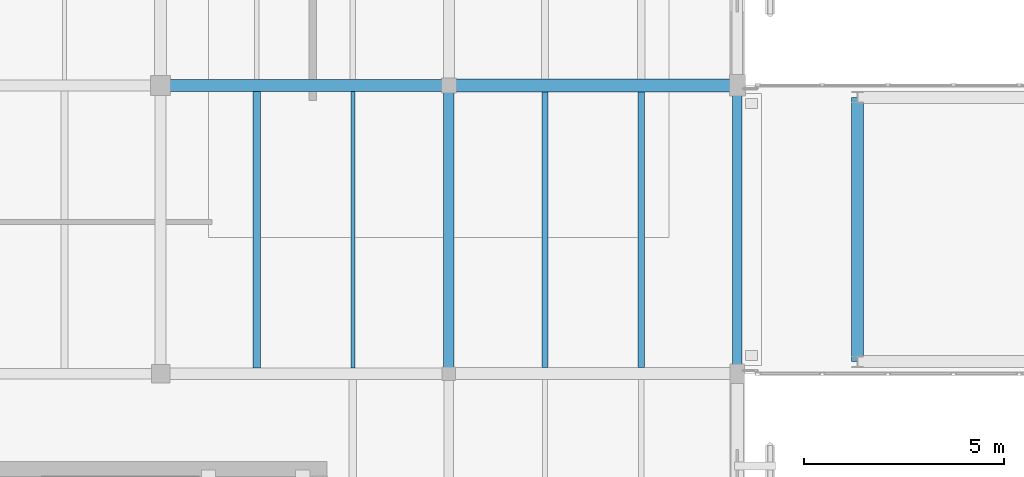
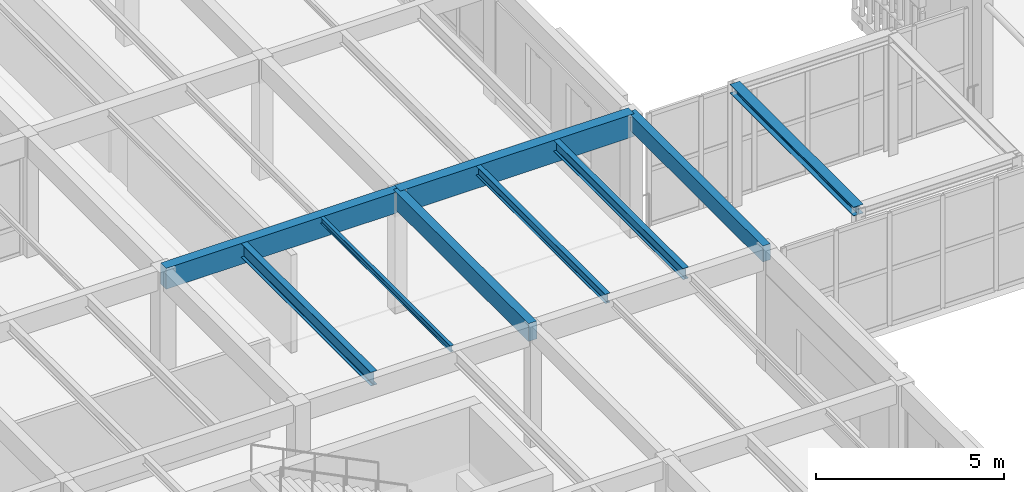
# One storey, part 19 of 112: 9 beams.
"""IFC4 building model written with IfcOpenShell, lengths in metres."""

from ifc_helpers import new_model, si_unit, direction, frame, origin, origin_2d, place, context, subcontext, project, spatial, rectangle, i_section, extrude, material, material_profile, profile_set, type_object, element, save


model = new_model("IFC4")

# Units and contexts
model_context = context("Model", 3, precision=1e-05, world=origin(), true_north=direction((0.0, 1.0)))
body_context = subcontext(model_context, "Body", "Model", "MODEL_VIEW")
ifc_project = project(units=[si_unit("LENGTHUNIT", "METRE"), si_unit("AREAUNIT", "SQUARE_METRE"), si_unit("VOLUMEUNIT", "CUBIC_METRE"), si_unit("PLANEANGLEUNIT", "RADIAN"), si_unit("MASSUNIT", "GRAM", prefix="KILO")], contexts=[model_context])

# Site, building, storey
site_placement = place(None, origin())
site = spatial("IfcSite", under=ifc_project, at=site_placement, CompositionType="ELEMENT")
building_placement = place(site_placement, origin())
building = spatial("IfcBuilding", under=site, at=building_placement, Name="Mazaris Harbour Polytechnic", CompositionType="ELEMENT")
storey_placement = place(building_placement, frame((0.0, 0.0, 13.800048828125)))
storey = spatial("IfcBuildingStorey", under=building, at=storey_placement, Name="L03", CompositionType="ELEMENT", Elevation=13.800048828125)

# Beams
ifc_material_1 = material(Name="Glulam GL32h", Category="wood")
ifc_material_profile_1 = material_profile(ifc_material_1, rectangle(XDim=0.239990234375, YDim=0.52001953125, at=origin_2d()), Name="RECT240x520")
ifc_profile_set_1 = profile_set([ifc_material_profile_1], Name="Glulam GL32h")
beam_type_1 = type_object("IfcBeamType", Name="Glulam Girder 240x520 Exterior", PredefinedType="BEAM", material=ifc_profile_set_1)
beam_1_placement = place(storey_placement, frame((43.199951171875, 21.60009765625, 3.659912109375), z_axis=(0.0, 1.0, 0.0), x_axis=(-1.0, 0.0, 0.0)))
element("IfcBeam", 1, at=beam_1_placement, inside=storey, type_object=beam_type_1, Name="V4 L03 Tie Girder 2270", PredefinedType="BEAM", context=body_context, shape_type="SweptSolid", body=[
    extrude(rectangle(XDim=0.239990234375, YDim=0.52001953125, at=origin_2d()), origin(), (0.0, 0.0, 1.0), 7.199951171875),
])
ifc_material_2 = material(Name="Glulam GL32h", Category="wood")
ifc_material_profile_2 = material_profile(ifc_material_2, rectangle(XDim=0.260009765625, YDim=0.580078125, at=origin_2d()), Name="RECT260x580")
ifc_profile_set_2 = profile_set([ifc_material_profile_2], Name="Glulam GL32h")
beam_type_2 = type_object("IfcBeamType", Name="Glulam Girder 260x580", PredefinedType="BEAM", material=ifc_profile_set_2)
beam_2_placement = place(storey_placement, frame((36.0, 21.60009765625, 3.6298828125), z_axis=(0.0, 1.0, 0.0), x_axis=(-1.0, 0.0, 0.0)))
element("IfcBeam", 2, at=beam_2_placement, inside=storey, type_object=beam_type_2, Name="V4 L03 Tie Girder 2261", PredefinedType="BEAM", context=body_context, shape_type="SweptSolid", body=[
    extrude(rectangle(XDim=0.260009765625, YDim=0.580078125, at=origin_2d()), origin(), (0.0, 0.0, 1.0), 7.199951171875),
])
ifc_material_3 = material(Name="Glulam GL32h", Category="wood")
ifc_material_profile_3 = material_profile(ifc_material_3, rectangle(XDim=0.300048828125, YDim=0.679931640625, at=origin_2d()), Name="RECT300x680")
ifc_profile_set_3 = profile_set([ifc_material_profile_3], Name="Glulam GL32h")
beam_type_3 = type_object("IfcBeamType", Name="Glulam Girder 300x680", PredefinedType="BEAM", material=ifc_profile_set_3)
beam_3_placement = place(storey_placement, frame((28.800048828125, 28.800048828125, 3.579833984375), z_axis=(1.0, 0.0, 0.0), x_axis=(0.0, 1.0, 0.0)))
element("IfcBeam", 3, at=beam_3_placement, inside=storey, type_object=beam_type_3, Name="V4 L03 Girder 2188", PredefinedType="BEAM", context=body_context, shape_type="SweptSolid", body=[
    extrude(rectangle(XDim=0.300048828125, YDim=0.679931640625, at=origin_2d()), origin(), (0.0, 0.0, 1.0), 7.199951171875),
])
ifc_material_4 = material(Name="Glulam GL32h", Category="wood")
ifc_material_profile_4 = material_profile(ifc_material_4, rectangle(XDim=0.320068359375, YDim=0.739990234375, at=origin_2d()), Name="RECT320x740")
ifc_profile_set_4 = profile_set([ifc_material_profile_4], Name="Glulam GL32h")
beam_type_4 = type_object("IfcBeamType", Name="Glulam Girder 320x740", PredefinedType="BEAM", material=ifc_profile_set_4)
beam_4_placement = place(storey_placement, frame((36.0, 28.800048828125, 3.550048828125), z_axis=(1.0, 0.0, 0.0), x_axis=(0.0, 1.0, 0.0)))
element("IfcBeam", 4, at=beam_4_placement, inside=storey, type_object=beam_type_4, Name="V4 L03 Girder 2189", PredefinedType="BEAM", context=body_context, shape_type="SweptSolid", body=[
    extrude(rectangle(XDim=0.320068359375, YDim=0.739990234375, at=origin_2d()), origin(), (0.0, 0.0, 1.0), 7.199951171875),
])
ifc_material_5 = material(Name="Steel S355", Category="steel")
ifc_material_profile_5 = material_profile(ifc_material_5, i_section(OverallWidth=0.300048828125, OverallDepth=0.2900390625, WebThickness=0.008544921875, FlangeThickness=0.013916015625, FilletRadius=0.027099609375, at=origin_2d()), Name="HEA 300")
ifc_profile_set_5 = profile_set([ifc_material_profile_5], Name="Steel S355")
beam_type_5 = type_object("IfcBeamType", Name="Steel Beam HEA300 Exterior", PredefinedType="SPANDREL", material=ifc_profile_set_5)
beam_5_placement = place(storey_placement, frame((46.199951171875, 21.89990234375, 3.81494140625), z_axis=(0.0, 1.0, 0.0), x_axis=(-1.0, 0.0, 0.0)))
element("IfcBeam", 5, at=beam_5_placement, inside=storey, type_object=beam_type_5, Name="PB-W1 L03 Bridge Beam 3416", PredefinedType="SPANDREL", context=body_context, shape_type="SweptSolid", body=[
    extrude(i_section(OverallWidth=0.300048828125, OverallDepth=0.2900390625, WebThickness=0.008544921875, FlangeThickness=0.013916015625, FilletRadius=0.027099609375, at=origin_2d()), origin(), (0.0, 0.0, 1.0), 6.60009765625),
])
ifc_material_6 = material(Name="Steel S355", Category="steel")
ifc_material_profile_6 = material_profile(ifc_material_6, i_section(OverallWidth=0.10009765625, OverallDepth=0.199951171875, WebThickness=0.005615234375, FlangeThickness=0.008544921875, FilletRadius=0.011962890625, at=origin_2d()), Name="IPE 200")
ifc_profile_set_6 = profile_set([ifc_material_profile_6], Name="Steel S355")
beam_type_6 = type_object("IfcBeamType", Name="Steel Joist IPE200", PredefinedType="JOIST", material=ifc_profile_set_6)
beam_6_placement = place(storey_placement, frame((33.60009765625, 21.739990234375, 3.820068359375), z_axis=(0.0, 1.0, 0.0), x_axis=(-1.0, 0.0, 0.0)))
element("IfcBeam", 6, at=beam_6_placement, inside=storey, type_object=beam_type_6, Name="V4 L03 Floor Joist 2331", PredefinedType="JOIST", context=body_context, shape_type="SweptSolid", body=[
    extrude(i_section(OverallWidth=0.10009765625, OverallDepth=0.199951171875, WebThickness=0.005615234375, FlangeThickness=0.008544921875, FilletRadius=0.011962890625, at=origin_2d()), origin(), (0.0, 0.0, 1.0), 6.909912109375),
])
ifc_material_7 = material(Name="Steel S355", Category="steel")
ifc_material_profile_7 = material_profile(ifc_material_7, i_section(OverallWidth=0.14990234375, OverallDepth=0.300048828125, WebThickness=0.007080078125, FlangeThickness=0.0107421875, FilletRadius=0.014892578125, at=origin_2d()), Name="IPE 300")
ifc_profile_set_7 = profile_set([ifc_material_profile_7], Name="Steel S355")
beam_type_7 = type_object("IfcBeamType", Name="Steel Joist IPE300", PredefinedType="JOIST", material=ifc_profile_set_7)
beam_7_placement = place(storey_placement, frame((38.39990234375, 21.75, 3.77001953125), z_axis=(0.0, 1.0, 0.0), x_axis=(-1.0, 0.0, 0.0)))
element("IfcBeam", 7, at=beam_7_placement, inside=storey, type_object=beam_type_7, Name="V4 L03 Floor Joist 2348", PredefinedType="JOIST", context=body_context, shape_type="SweptSolid", body=[
    extrude(i_section(OverallWidth=0.14990234375, OverallDepth=0.300048828125, WebThickness=0.007080078125, FlangeThickness=0.0107421875, FilletRadius=0.014892578125, at=origin_2d()), origin(), (0.0, 0.0, 1.0), 6.889892578125),
])
ifc_material_8 = material(Name="Steel S355", Category="steel")
ifc_material_profile_8 = material_profile(ifc_material_8, i_section(OverallWidth=0.169921875, OverallDepth=0.360107421875, WebThickness=0.008056640625, FlangeThickness=0.0126953125, FilletRadius=0.01806640625, at=origin_2d()), Name="IPE 360")
ifc_profile_set_8 = profile_set([ifc_material_profile_8], Name="Steel S355")
beam_type_8 = type_object("IfcBeamType", Name="Steel Joist IPE360", PredefinedType="JOIST", material=ifc_profile_set_8)
beam_8_placement = place(storey_placement, frame((40.800048828125, 21.75, 3.739990234375), z_axis=(0.0, 1.0, 0.0), x_axis=(-1.0, 0.0, 0.0)))
element("IfcBeam", 8, at=beam_8_placement, inside=storey, type_object=beam_type_8, Name="V4 L03 Floor Joist 2349", PredefinedType="JOIST", context=body_context, shape_type="SweptSolid", body=[
    extrude(i_section(OverallWidth=0.169921875, OverallDepth=0.360107421875, WebThickness=0.008056640625, FlangeThickness=0.0126953125, FilletRadius=0.01806640625, at=origin_2d()), origin(), (0.0, 0.0, 1.0), 6.889892578125),
])
ifc_material_9 = material(Name="Steel S355", Category="steel")
ifc_material_profile_9 = material_profile(ifc_material_9, i_section(OverallWidth=0.18994140625, OverallDepth=0.449951171875, WebThickness=0.009521484375, FlangeThickness=0.0146484375, FilletRadius=0.02099609375, at=origin_2d()), Name="IPE 450")
ifc_profile_set_9 = profile_set([ifc_material_profile_9], Name="Steel S355")
beam_type_9 = type_object("IfcBeamType", Name="Steel Joist IPE450", PredefinedType="JOIST", material=ifc_profile_set_9)
beam_9_placement = place(storey_placement, frame((31.199951171875, 21.739990234375, 3.695068359375), z_axis=(0.0, 1.0, 0.0), x_axis=(-1.0, 0.0, 0.0)))
element("IfcBeam", 9, at=beam_9_placement, inside=storey, type_object=beam_type_9, Name="V4 L03 Floor Joist 2330", PredefinedType="JOIST", context=body_context, shape_type="SweptSolid", body=[
    extrude(i_section(OverallWidth=0.18994140625, OverallDepth=0.449951171875, WebThickness=0.009521484375, FlangeThickness=0.0146484375, FilletRadius=0.02099609375, at=origin_2d()), origin(), (0.0, 0.0, 1.0), 6.909912109375),
])

save(model, "model.ifc")
